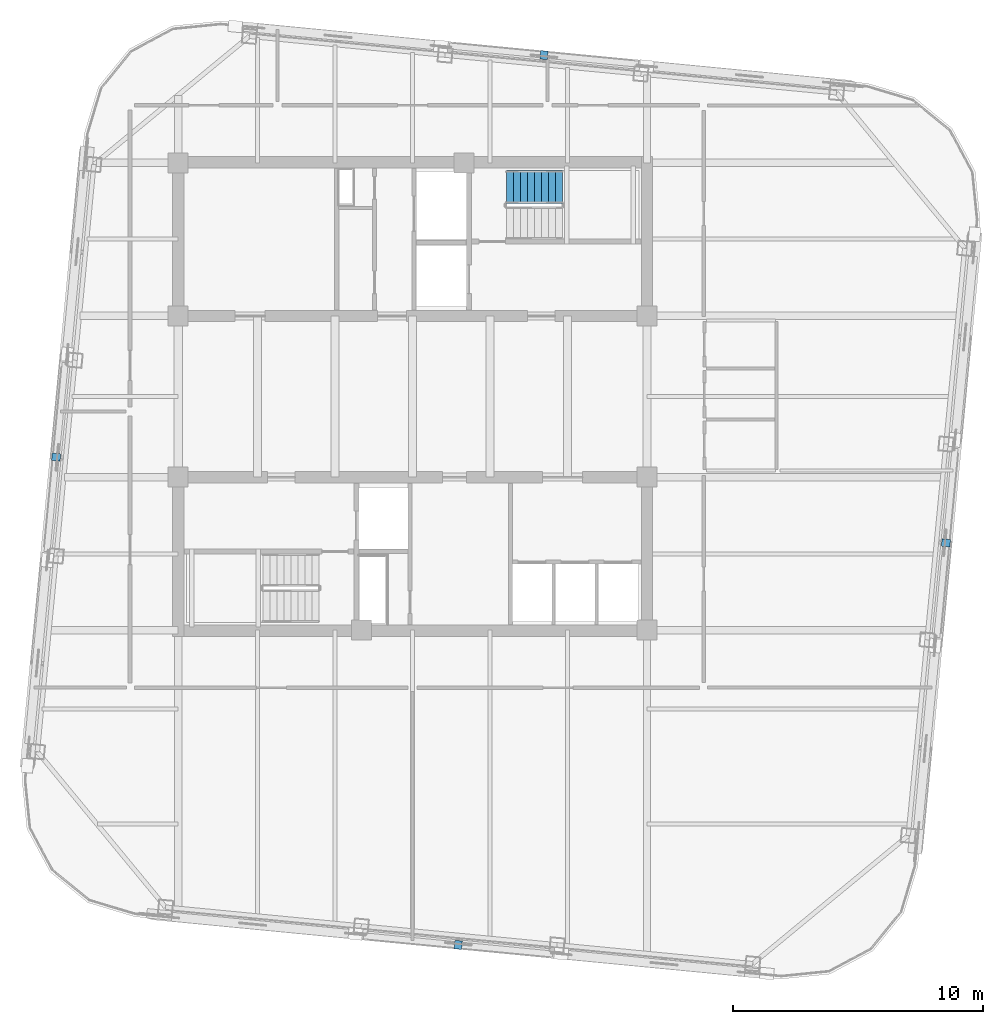
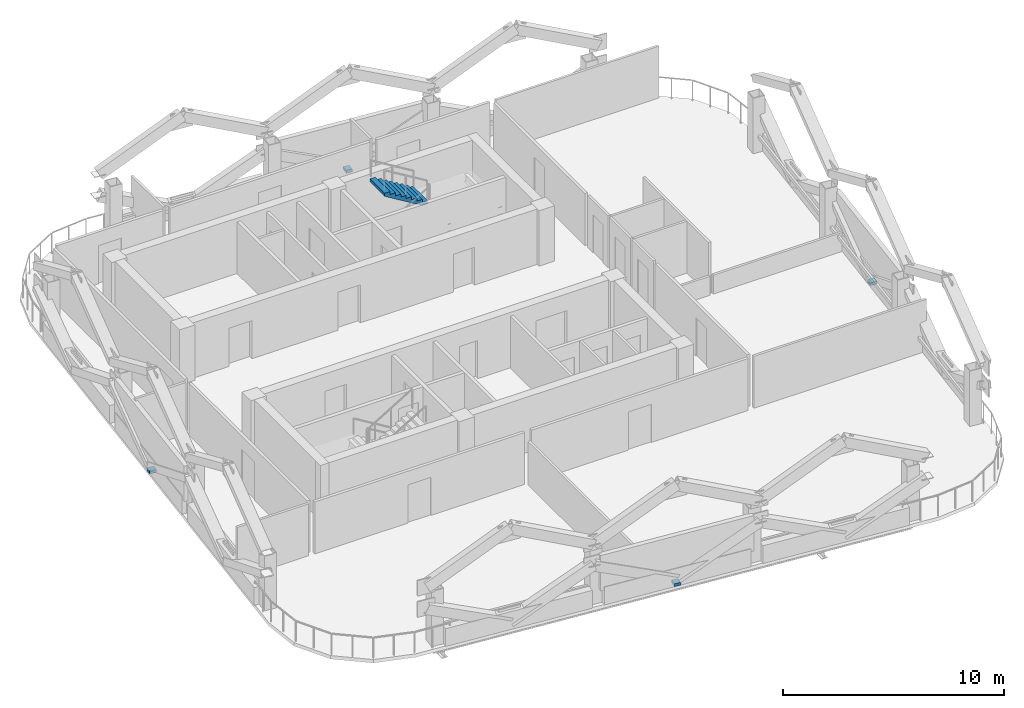
# One storey, part 6 of 10: 4 discrete accessories, 1 stair flight, 1 element without a shape of its own.
"""IFC4 building model written with IfcOpenShell, lengths in metres."""

from ifc_helpers import new_model, si_unit, direction, frame, origin, origin_2d, place, context, subcontext, project, spatial, polyline, rectangle, outline, extrude, material, type_object, element, aggregate, save


model = new_model("IFC4")

# Units and contexts
model_context = context("Model", 3, precision=1e-05, world=origin(), true_north=direction((0.0, 1.0)))
body_context = subcontext(model_context, "Body", "Model", "MODEL_VIEW")
ifc_project = project(units=[si_unit("LENGTHUNIT", "METRE"), si_unit("AREAUNIT", "SQUARE_METRE"), si_unit("VOLUMEUNIT", "CUBIC_METRE"), si_unit("PLANEANGLEUNIT", "RADIAN"), si_unit("MASSUNIT", "GRAM", prefix="KILO")], contexts=[model_context])

# Site, building, storey
site_placement = place(None, origin())
site = spatial("IfcSite", under=ifc_project, at=site_placement, CompositionType="ELEMENT")
building_placement = place(site_placement, origin())
building = spatial("IfcBuilding", under=site, at=building_placement, Name="Qhalaya Broadcast Tower", CompositionType="ELEMENT")
storey_placement = place(building_placement, frame((0.0, 0.0, 267.25)))
storey = spatial("IfcBuildingStorey", under=building, at=storey_placement, Name="L79", CompositionType="ELEMENT", Elevation=267.25)

# Stair, stair flight
ifc_material_1 = material(Name="Concrete C40/50", Category="concrete")
stair_type = type_object("IfcStairType", Name="Protected Dogleg Core Stair 3150", PredefinedType="TWO_STRAIGHT_RUN_STAIR", material=ifc_material_1)
stair_placement = place(storey_placement, origin())
stair = element("IfcStair", 1, at=stair_placement, inside=storey, type_object=stair_type, Name="L79 North Core Exit Stair ST-1", PredefinedType="TWO_STRAIGHT_RUN_STAIR")
ifc_material_2 = material(Name="Precast Concrete C40/50", Category="concrete")
stair_flight_type = type_object("IfcStairFlightType", Name="Precast Concrete Stair Flight 3150", PredefinedType="STRAIGHT", material=ifc_material_2)
stair_flight_placement = place(storey_placement, frame((5.989990234375, 8.97998046875, 1.52490234375), z_axis=(0.0, 0.0, 1.0), x_axis=(-1.0, 0.0, 0.0)))
stair_flight = element("IfcStairFlight", 2, at=stair_flight_placement, type_object=stair_flight_type, Name="ST-1 flight 2", NumberOfRisers=9, NumberOfTreads=8, PredefinedType="STRAIGHT", RiserHeight=0.169444444, TreadLength=0.28, context=body_context, shape_type="SweptSolid", body=[
    extrude(outline(polyline([(0.0, 0.0), (0.0, 0.16943359375), (0.280029296875, 0.16943359375), (0.280029296875, 0.3388671875), (0.56005859375, 0.3388671875), (0.56005859375, 0.50830078125), (0.840087890625, 0.50830078125), (0.840087890625, 0.677734375), (1.1201171875, 0.677734375), (1.1201171875, 0.84716796875), (1.39990234375, 0.84716796875), (1.39990234375, 1.0166015625), (1.679931640625, 1.0166015625), (1.679931640625, 1.18603515625), (1.9599609375, 1.18603515625), (1.9599609375, 1.35546875), (2.239990234375, 1.35546875), (2.239990234375, 1.52490234375), (2.239990234375, 1.180419921875), (0.28955078125, 0.0), (0.0, 0.0)])), frame((0.0, 0.66015625, 0.0), z_axis=(0.0, -1.0, 0.0), x_axis=(1.0, 0.0, 0.0)), (0.0, 0.0, 1.0), 1.320068359375),
])
aggregate(stair, [stair_flight])

# Discrete accessories
ifc_material_3 = material(Name="Structural Steel ASTM A572 Grade 50", Category="steel")
discrete_accessory_type = type_object("IfcDiscreteAccessoryType", Name="Facade Baguette Support Bracket BRK-01", PredefinedType="BRACKET", material=ifc_material_3)
for number, where, z_axis, x_axis, name in (
    (3, (1.826171875, -21.337646484375, 0.0), (0.0, 0.0, 1.0), (0.995396198367, -0.09584575252, 0.0), "L79 Baguette Support Bracket S"),
    (4, (21.337646484375, -5.25390625, 0.0), (0.0, 0.0, 1.0), (0.09584575252, 0.995396198367, 0.0), "L79 Baguette Support Bracket E"),
    (5, (5.25390625, 14.2578125, 0.0), (0.0, 0.0, 1.0), (-0.995396198367, 0.09584575252, 0.0), "L79 Baguette Support Bracket N"),
    (6, (-14.2578125, -1.826171875, 0.0), (0.0, 0.0, 1.0), (-0.09584575252, -0.995396198367, 0.0), "L79 Baguette Support Bracket W"),
):
    element("IfcDiscreteAccessory", number, at=place(storey_placement, frame(where, z_axis=z_axis, x_axis=x_axis)), inside=storey, type_object=discrete_accessory_type, Name=name, PredefinedType="BRACKET", context=body_context, shape_type="SweptSolid", body=[
        extrude(rectangle(XDim=0.300048828125, YDim=0.340087890625, at=origin_2d()), origin(), (0.0, 0.0, 1.0), 0.159912109375),
    ])

save(model, "model.ifc")
